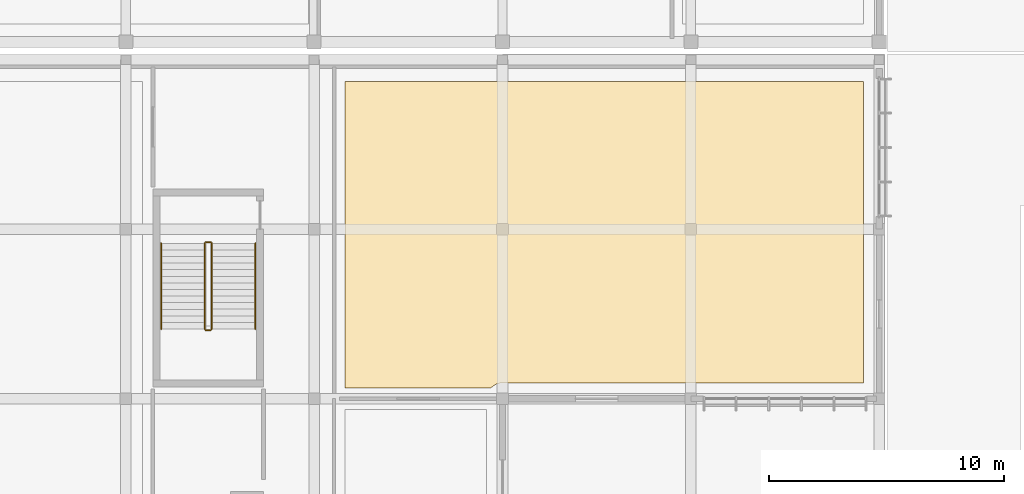
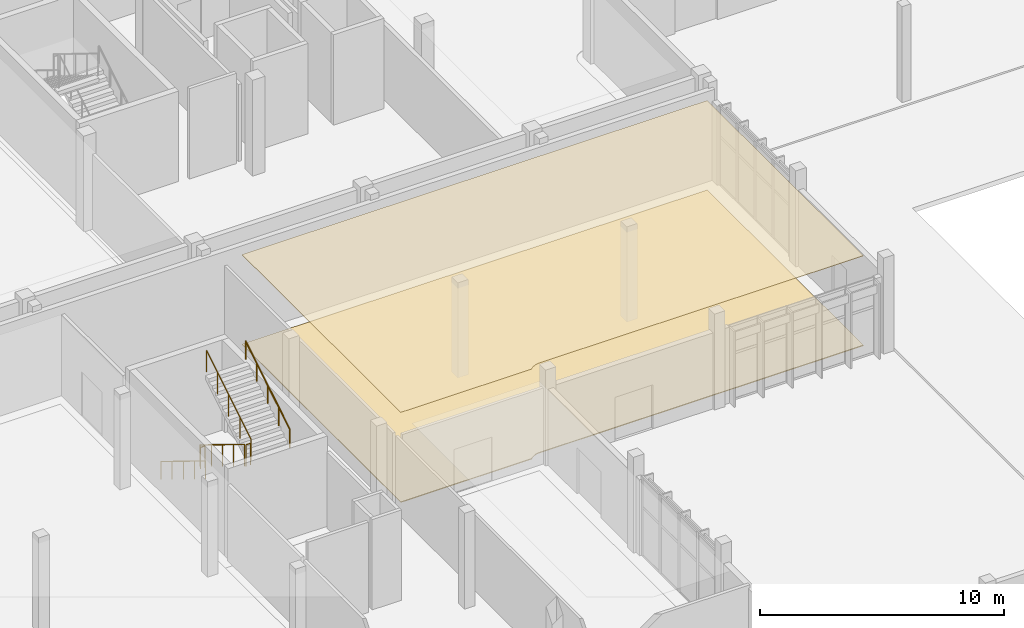
# One storey, part 140 of 151: 6 railings, 2 coverings.
"""IFC4 building model written with IfcOpenShell, lengths in metres."""

from ifc_helpers import new_model, si_unit, direction, frame, origin, origin_2d, place, context, subcontext, project, spatial, polyline, circle, outline, extrude, material, layer, layer_set, type_object, element, save


model = new_model("IFC4")

# Units and contexts
model_context = context("Model", 3, precision=1e-05, world=origin(), true_north=direction((0.0, 1.0)))
body_context = subcontext(model_context, "Body", "Model", "MODEL_VIEW")
ifc_project = project(units=[si_unit("LENGTHUNIT", "METRE"), si_unit("AREAUNIT", "SQUARE_METRE"), si_unit("VOLUMEUNIT", "CUBIC_METRE"), si_unit("PLANEANGLEUNIT", "RADIAN"), si_unit("MASSUNIT", "GRAM", prefix="KILO")], contexts=[model_context])

# Site, building, storey
site_placement = place(None, origin())
site = spatial("IfcSite", under=ifc_project, at=site_placement, CompositionType="ELEMENT")
building_placement = place(site_placement, origin())
building = spatial("IfcBuilding", under=site, at=building_placement, Name="Chiffa Square Polytechnic", CompositionType="ELEMENT")
storey_placement = place(building_placement, origin())
storey = spatial("IfcBuildingStorey", under=building, at=storey_placement, Name="L00", CompositionType="ELEMENT", Elevation=0.0)

# Coverings
ifc_material_1 = material(Name="Perforated gypsum acoustic board")
ifc_layer_1 = layer(ifc_material_1, 0.02490234375, Name="Perforated gypsum acoustic board")
ifc_layer_set_1 = layer_set([ifc_layer_1], Name="Perforated gypsum acoustic board")
covering_type_1 = type_object("IfcCoveringType", Name="COV-CEIL-GYP", PredefinedType="CEILING", material=ifc_layer_set_1)
covering_1_placement = place(storey_placement, frame((0.0, 0.0, 4.4970703125)))
element("IfcCovering", 1, at=covering_1_placement, inside=storey, type_object=covering_type_1, Name="Suspended acoustic ceiling CL-V6-L00-022", PredefinedType="CEILING", context=body_context, shape_type="SweptSolid", body=[
    extrude(outline(polyline([(25.300048828125, 80.25), (25.300048828125, 93.280029296875), (47.330078125, 93.280029296875), (47.330078125, 80.469970703125), (32.0, 80.469970703125), (31.97802734375, 80.468994140625), (31.9560546875, 80.468017578125), (31.912109375, 80.464111328125), (31.89111328125, 80.4609375), (31.847900390625, 80.451904296875), (31.826904296875, 80.447021484375), (31.784912109375, 80.43408203125), (31.763916015625, 80.427001953125), (31.722900390625, 80.409912109375), (31.7041015625, 80.40087890625), (31.6650390625, 80.3798828125), (31.64599609375, 80.368896484375), (31.610107421875, 80.343994140625), (31.592041015625, 80.33203125), (31.55810546875, 80.302978515625), (31.5419921875, 80.2890625), (31.510986328125, 80.258056640625), (31.50390625, 80.25), (25.300048828125, 80.25)])), origin(), (0.0, 0.0, 1.0), 0.02490234375),
])
ifc_material_2 = material(Name="Polished cementitious terrazzo")
ifc_layer_2 = layer(ifc_material_2, 0.0400390625, Name="Polished cementitious terrazzo")
ifc_layer_set_2 = layer_set([ifc_layer_2], Name="Polished cementitious terrazzo")
covering_type_2 = type_object("IfcCoveringType", Name="COV-FLR-TERRAZZO", PredefinedType="FLOORING", material=ifc_layer_set_2)
covering_2_placement = place(storey_placement, origin())
element("IfcCovering", 2, at=covering_2_placement, inside=storey, type_object=covering_type_2, Name="Polished terrazzo floor finish FL-V6-L00-021", PredefinedType="FLOORING", context=body_context, shape_type="SweptSolid", body=[
    extrude(outline(polyline([(25.300048828125, 80.25), (25.300048828125, 93.280029296875), (47.330078125, 93.280029296875), (47.330078125, 80.469970703125), (32.0, 80.469970703125), (31.97802734375, 80.468994140625), (31.9560546875, 80.468017578125), (31.912109375, 80.464111328125), (31.89111328125, 80.4609375), (31.847900390625, 80.451904296875), (31.826904296875, 80.447021484375), (31.784912109375, 80.43408203125), (31.763916015625, 80.427001953125), (31.722900390625, 80.409912109375), (31.7041015625, 80.40087890625), (31.6650390625, 80.3798828125), (31.64599609375, 80.368896484375), (31.610107421875, 80.343994140625), (31.592041015625, 80.33203125), (31.55810546875, 80.302978515625), (31.5419921875, 80.2890625), (31.510986328125, 80.258056640625), (31.50390625, 80.25), (25.300048828125, 80.25)])), origin(), (0.0, 0.0, 1.0), 0.0400390625),
])

# Railings
ifc_material_3 = material(Name="Steel S355", Category="steel")
ifc_layer_3 = layer(ifc_material_3, 0.050048828125, Name="Steel S355")
ifc_layer_set_3 = layer_set([ifc_layer_3], Name="Steel S355")
railing_type_1 = type_object("IfcRailingType", Name="RL-STAIR-GUARD", PredefinedType="GUARDRAIL", material=ifc_layer_set_3)
railing_1_placement = place(storey_placement, frame((19.35009765625, 86.39990234375, 0.17138671875)))
element("IfcRailing", 3, at=railing_1_placement, inside=storey, type_object=railing_type_1, Name="L00 ST-V6B stair guard 1", PredefinedType="GUARDRAIL", context=body_context, shape_type="SweptSolid", body=[
    extrude(circle(Radius=0.02392578125, at=origin_2d()), frame((0.0, 0.0, 1.076171875), z_axis=(0.0, -0.852850264322, 0.5221555579), x_axis=(1.0, 0.0, 0.0)), (0.0, 0.0, 1.0), 4.267822265625),
    extrude(circle(Radius=0.02099609375, at=origin_2d()), origin(), (0.0, 0.0, 1.0), 1.052001953125),
    extrude(circle(Radius=0.02099609375, at=origin_2d()), frame((0.0, -0.909912109375, 0.55712890625)), (0.0, 0.0, 1.0), 1.052001953125),
    extrude(circle(Radius=0.02099609375, at=origin_2d()), frame((0.0, -1.81982421875, 1.1142578125)), (0.0, 0.0, 1.0), 1.052001953125),
    extrude(circle(Radius=0.02099609375, at=origin_2d()), frame((0.0, -2.72998046875, 1.67138671875)), (0.0, 0.0, 1.0), 1.052001953125),
    extrude(circle(Radius=0.02099609375, at=origin_2d()), frame((0.0, -3.639892578125, 2.228515625)), (0.0, 0.0, 1.0), 1.052001953125),
])
railing_2_placement = place(storey_placement, frame((19.39990234375, 82.7099609375, 2.39990234375)))
element("IfcRailing", 4, at=railing_2_placement, inside=storey, type_object=railing_type_1, Name="L00 ST-V6B stair guard 2", PredefinedType="GUARDRAIL", context=body_context, shape_type="SweptSolid", body=[
    extrude(circle(Radius=0.02392578125, at=origin_2d()), frame((0.0, 0.0, 1.076171875), z_axis=(1.0, 0.0, 0.0), x_axis=(0.0, 1.0, 0.0)), (0.0, 0.0, 1.0), 0.2001953125),
    extrude(circle(Radius=0.02099609375, at=origin_2d()), origin(), (0.0, 0.0, 1.0), 1.052001953125),
    extrude(circle(Radius=0.02099609375, at=origin_2d()), frame((0.2001953125, 0.0, 0.0)), (0.0, 0.0, 1.0), 1.052001953125),
])
railing_3_placement = place(storey_placement, frame((19.64990234375, 82.760009765625, 2.571533203125)))
element("IfcRailing", 5, at=railing_3_placement, inside=storey, type_object=railing_type_1, Name="L00 ST-V6B stair guard 3", PredefinedType="GUARDRAIL", context=body_context, shape_type="SweptSolid", body=[
    extrude(circle(Radius=0.02392578125, at=origin_2d()), frame((0.0, 0.0, 1.076171875), z_axis=(0.0, 0.852850264322, 0.5221555579), x_axis=(-1.0, 0.0, 0.0)), (0.0, 0.0, 1.0), 4.267822265625),
    extrude(circle(Radius=0.02099609375, at=origin_2d()), origin(), (0.0, 0.0, 1.0), 1.052001953125),
    extrude(circle(Radius=0.02099609375, at=origin_2d()), frame((0.0, 0.909912109375, 0.55712890625)), (0.0, 0.0, 1.0), 1.052001953125),
    extrude(circle(Radius=0.02099609375, at=origin_2d()), frame((0.0, 1.81982421875, 1.1142578125)), (0.0, 0.0, 1.0), 1.052001953125),
    extrude(circle(Radius=0.02099609375, at=origin_2d()), frame((0.0, 2.72998046875, 1.67138671875)), (0.0, 0.0, 1.0), 1.052001953125),
    extrude(circle(Radius=0.02099609375, at=origin_2d()), frame((0.0, 3.639892578125, 2.228515625)), (0.0, 0.0, 1.0), 1.052001953125),
])
railing_4_placement = place(storey_placement, frame((19.39990234375, 86.449951171875, 0.0)))
element("IfcRailing", 6, at=railing_4_placement, inside=storey, type_object=railing_type_1, Name="L00 ST-V6B stair guard 4", PredefinedType="GUARDRAIL", context=body_context, shape_type="SweptSolid", body=[
    extrude(circle(Radius=0.02392578125, at=origin_2d()), frame((0.0, 0.0, 1.076171875), z_axis=(1.0, 0.0, 0.0), x_axis=(0.0, 1.0, 0.0)), (0.0, 0.0, 1.0), 0.2001953125),
    extrude(circle(Radius=0.02099609375, at=origin_2d()), origin(), (0.0, 0.0, 1.0), 1.052001953125),
    extrude(circle(Radius=0.02099609375, at=origin_2d()), frame((0.2001953125, 0.0, 0.0)), (0.0, 0.0, 1.0), 1.052001953125),
])
ifc_layer_4 = layer(ifc_material_3, 0.044921875, Name="Steel S355")
ifc_layer_set_4 = layer_set([ifc_layer_4], Name="Steel S355")
railing_type_2 = type_object("IfcRailingType", Name="RL-STAIR-HAND", PredefinedType="HANDRAIL", material=ifc_layer_set_4)
railing_5_placement = place(storey_placement, frame((17.5, 86.39990234375, 0.17138671875)))
element("IfcRailing", 7, at=railing_5_placement, inside=storey, type_object=railing_type_2, Name="L00 ST-V6B stair handrail 1", PredefinedType="HANDRAIL", context=body_context, shape_type="SweptSolid", body=[
    extrude(circle(Radius=0.02392578125, at=origin_2d()), frame((0.0, 0.0, 0.89599609375), z_axis=(0.0, -0.852850264322, 0.5221555579), x_axis=(1.0, 0.0, 0.0)), (0.0, 0.0, 1.0), 4.267822265625),
    extrude(circle(Radius=0.02099609375, at=origin_2d()), origin(), (0.0, 0.0, 1.0), 0.871826171875),
    extrude(circle(Radius=0.02099609375, at=origin_2d()), frame((0.0, -0.909912109375, 0.55712890625)), (0.0, 0.0, 1.0), 0.871826171875),
    extrude(circle(Radius=0.02099609375, at=origin_2d()), frame((0.0, -1.81982421875, 1.1142578125)), (0.0, 0.0, 1.0), 0.871826171875),
    extrude(circle(Radius=0.02099609375, at=origin_2d()), frame((0.0, -2.72998046875, 1.67138671875)), (0.0, 0.0, 1.0), 0.871826171875),
    extrude(circle(Radius=0.02099609375, at=origin_2d()), frame((0.0, -3.639892578125, 2.228515625)), (0.0, 0.0, 1.0), 0.871826171875),
])
railing_6_placement = place(storey_placement, frame((21.5, 82.760009765625, 2.571533203125)))
element("IfcRailing", 8, at=railing_6_placement, inside=storey, type_object=railing_type_2, Name="L00 ST-V6B stair handrail 2", PredefinedType="HANDRAIL", context=body_context, shape_type="SweptSolid", body=[
    extrude(circle(Radius=0.02392578125, at=origin_2d()), frame((0.0, 0.0, 0.89599609375), z_axis=(0.0, 0.852850264322, 0.5221555579), x_axis=(-1.0, 0.0, 0.0)), (0.0, 0.0, 1.0), 4.267822265625),
    extrude(circle(Radius=0.02099609375, at=origin_2d()), origin(), (0.0, 0.0, 1.0), 0.871826171875),
    extrude(circle(Radius=0.02099609375, at=origin_2d()), frame((0.0, 0.909912109375, 0.55712890625)), (0.0, 0.0, 1.0), 0.871826171875),
    extrude(circle(Radius=0.02099609375, at=origin_2d()), frame((0.0, 1.81982421875, 1.1142578125)), (0.0, 0.0, 1.0), 0.871826171875),
    extrude(circle(Radius=0.02099609375, at=origin_2d()), frame((0.0, 2.72998046875, 1.67138671875)), (0.0, 0.0, 1.0), 0.871826171875),
    extrude(circle(Radius=0.02099609375, at=origin_2d()), frame((0.0, 3.639892578125, 2.228515625)), (0.0, 0.0, 1.0), 0.871826171875),
])

save(model, "model.ifc")
